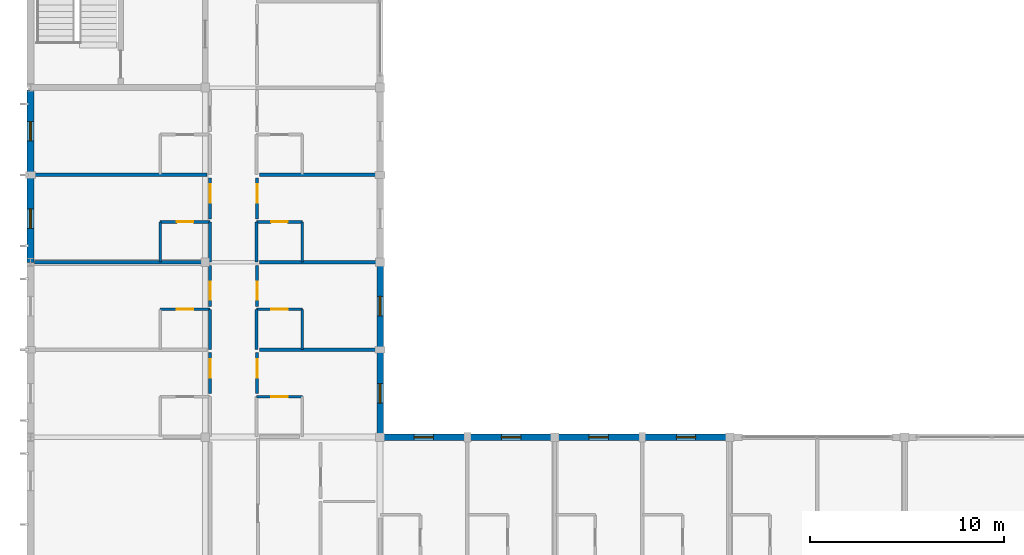
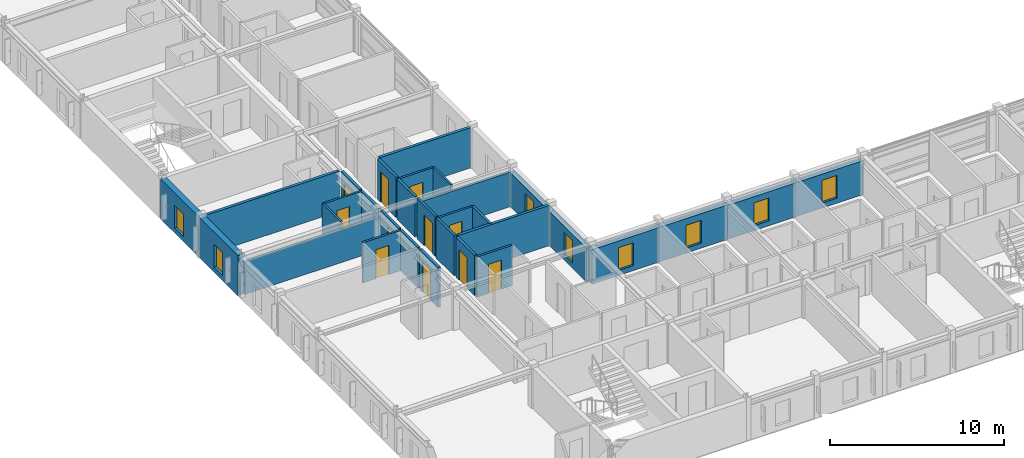
# One storey, part 10 of 20: 27 walls, 11 doors, 8 windows, 19 openings.
"""IFC4 building model written with IfcOpenShell, lengths in metres."""

from ifc_helpers import new_model, si_unit, direction, frame, frame_2d, origin, place, context, subcontext, project, spatial, rectangle, extrude, material, layer, layer_set, type_object, element, fill, save


model = new_model("IFC4")

# Units and contexts
model_context = context("Model", 3, precision=1e-05, world=origin(), true_north=direction((0.0, 1.0)))
body_context = subcontext(model_context, "Body", "Model", "MODEL_VIEW")
ifc_project = project(units=[si_unit("LENGTHUNIT", "METRE"), si_unit("AREAUNIT", "SQUARE_METRE"), si_unit("VOLUMEUNIT", "CUBIC_METRE"), si_unit("PLANEANGLEUNIT", "RADIAN"), si_unit("MASSUNIT", "GRAM", prefix="KILO")], contexts=[model_context])

# Site, building, storey
site_placement = place(None, origin())
site = spatial("IfcSite", under=ifc_project, at=site_placement, CompositionType="ELEMENT")
building_placement = place(site_placement, origin())
building = spatial("IfcBuilding", under=site, at=building_placement, Name="Palais des Congres Ocreval", CompositionType="ELEMENT")
storey_placement = place(building_placement, frame((0.0, 0.0, 20.639892578125)))
storey = spatial("IfcBuildingStorey", under=building, at=storey_placement, Name="L06", CompositionType="ELEMENT", Elevation=20.639892578125)

# Wall, opening, door
ifc_material_1 = material(Name="Moisture-resistant gypsum board")
ifc_layer_1 = layer(ifc_material_1, 0.139892578125)
ifc_layer_set_1 = layer_set([ifc_layer_1], Name="Bathroom Plumbing Chase Wall 140 Gypsum (Moisture-resistant gypsum board)")
wall_type_1 = type_object("IfcWallType", Name="Bathroom Plumbing Chase Wall 140 Gypsum", PredefinedType="PLUMBINGWALL", material=ifc_layer_set_1)
wall_1_placement = place(storey_placement, frame((6.679931640625, 24.580078125, 0.0), z_axis=(0.0, 0.0, 1.0), x_axis=(1.0, 0.0, 0.0)))
wall_1 = element("IfcWall", 1, at=wall_1_placement, inside=storey, type_object=wall_type_1, Name="Bathroom Plumbing Wall PW03 L06", PredefinedType="PLUMBINGWALL", context=body_context, shape_type="SweptSolid", body=[
    extrude(rectangle(XDim=2.56005859375, YDim=0.139892578125, at=frame_2d((1.280029296875, 0.0))), origin(), (0.0, 0.0, 1.0), 2.820068359375),
])
opening_1_placement = place(wall_1_placement, frame((0.85498046875, 0.0, 0.0)))
opening_1 = element("IfcOpeningElement", 2, at=opening_1_placement, cuts=wall_1, Name="Opening D08", PredefinedType="OPENING", context=body_context, shape_type="SweptSolid", body=[
    extrude(rectangle(XDim=0.85009765625, YDim=2.0400390625, at=frame_2d((0.425048828125, 1.02001953125))), frame((0.0, 0.079833984375, 0.0), z_axis=(0.0, -1.0, 0.0), x_axis=(1.0, 0.0, 0.0)), (0.0, 0.0, 1.0), 0.159912109375),
])
ifc_material_2 = material(Name="Solid French oak", Category="wood")
door_type_1 = type_object("IfcDoorType", Name="En-Suite Bathroom Door 850x2040", OperationType="NOTDEFINED", PredefinedType="DOOR", material=ifc_material_2)
door_1_placement = place(opening_1_placement, origin())
door_1 = element("IfcDoor", 3, at=door_1_placement, inside=storey, type_object=door_type_1, Name="En-Suite Bathroom Door D08 L06", OperationType="SINGLE_SWING_LEFT", OverallHeight=2.0400390625, OverallWidth=0.85009765625, PredefinedType="DOOR", context=body_context, shape_type="SweptSolid", body=[
    extrude(rectangle(XDim=0.85009765625, YDim=2.0400390625, at=frame_2d((0.425048828125, 1.02001953125))), frame((0.0, 0.02490234375, 0.0), z_axis=(0.0, -1.0, 0.0), x_axis=(1.0, 0.0, 0.0)), (0.0, 0.0, 1.0), 0.050048828125),
])
fill(opening_1, door_1)

wall_2_placement = place(storey_placement, frame((11.639892578125, 20.080078125, 0.0), z_axis=(0.0, 0.0, 1.0), x_axis=(1.0, 0.0, 0.0)))
wall_2 = element("IfcWall", 4, at=wall_2_placement, inside=storey, type_object=wall_type_1, Name="Bathroom Plumbing Wall PW03 L06", PredefinedType="PLUMBINGWALL", context=body_context, shape_type="SweptSolid", body=[
    extrude(rectangle(XDim=2.360107421875, YDim=0.139892578125, at=frame_2d((1.18017578125, 0.0))), origin(), (0.0, 0.0, 1.0), 2.820068359375),
])
opening_2_placement = place(wall_2_placement, frame((0.7548828125, 0.0, 0.0)))
opening_2 = element("IfcOpeningElement", 5, at=opening_2_placement, cuts=wall_2, Name="Opening D08", PredefinedType="OPENING", context=body_context, shape_type="SweptSolid", body=[
    extrude(rectangle(XDim=0.85009765625, YDim=2.0400390625, at=frame_2d((0.425048828125, 1.02001953125))), frame((0.0, 0.079833984375, 0.0), z_axis=(0.0, -1.0, 0.0), x_axis=(1.0, 0.0, 0.0)), (0.0, 0.0, 1.0), 0.159912109375),
])
door_2_placement = place(opening_2_placement, origin())
door_2 = element("IfcDoor", 6, at=door_2_placement, inside=storey, type_object=door_type_1, Name="En-Suite Bathroom Door D08 L06", OperationType="SINGLE_SWING_RIGHT", OverallHeight=2.0400390625, OverallWidth=0.85009765625, PredefinedType="DOOR", context=body_context, shape_type="SweptSolid", body=[
    extrude(rectangle(XDim=0.85009765625, YDim=2.0400390625, at=frame_2d((0.425048828125, 1.02001953125))), frame((0.0, 0.02490234375, 0.0), z_axis=(0.0, -1.0, 0.0), x_axis=(1.0, 0.0, 0.0)), (0.0, 0.0, 1.0), 0.050048828125),
])
fill(opening_2, door_2)

wall_3_placement = place(storey_placement, frame((11.639892578125, 24.580078125, 0.0), z_axis=(0.0, 0.0, 1.0), x_axis=(1.0, 0.0, 0.0)))
wall_3 = element("IfcWall", 7, at=wall_3_placement, inside=storey, type_object=wall_type_1, Name="Bathroom Plumbing Wall PW03 L06", PredefinedType="PLUMBINGWALL", context=body_context, shape_type="SweptSolid", body=[
    extrude(rectangle(XDim=2.360107421875, YDim=0.139892578125, at=frame_2d((1.18017578125, 0.0))), origin(), (0.0, 0.0, 1.0), 2.820068359375),
])
opening_3_placement = place(wall_3_placement, frame((0.7548828125, 0.0, 0.0)))
opening_3 = element("IfcOpeningElement", 8, at=opening_3_placement, cuts=wall_3, Name="Opening D08", PredefinedType="OPENING", context=body_context, shape_type="SweptSolid", body=[
    extrude(rectangle(XDim=0.85009765625, YDim=2.0400390625, at=frame_2d((0.425048828125, 1.02001953125))), frame((0.0, 0.079833984375, 0.0), z_axis=(0.0, -1.0, 0.0), x_axis=(1.0, 0.0, 0.0)), (0.0, 0.0, 1.0), 0.159912109375),
])
door_3_placement = place(opening_3_placement, origin())
door_3 = element("IfcDoor", 9, at=door_3_placement, inside=storey, type_object=door_type_1, Name="En-Suite Bathroom Door D08 L06", OperationType="SINGLE_SWING_LEFT", OverallHeight=2.0400390625, OverallWidth=0.85009765625, PredefinedType="DOOR", context=body_context, shape_type="SweptSolid", body=[
    extrude(rectangle(XDim=0.85009765625, YDim=2.0400390625, at=frame_2d((0.425048828125, 1.02001953125))), frame((0.0, 0.02490234375, 0.0), z_axis=(0.0, -1.0, 0.0), x_axis=(1.0, 0.0, 0.0)), (0.0, 0.0, 1.0), 0.050048828125),
])
fill(opening_3, door_3)

# Wall
wall_4_placement = place(storey_placement, frame((14.0, 22.52001953125, 0.0), z_axis=(0.0, 0.0, 1.0), x_axis=(0.0, 1.0, 0.0)))
element("IfcWall", 10, at=wall_4_placement, inside=storey, type_object=wall_type_1, Name="Bathroom Plumbing Wall PW03 L06", PredefinedType="PLUMBINGWALL", context=body_context, shape_type="SweptSolid", body=[
    extrude(rectangle(XDim=2.06005859375, YDim=0.139892578125, at=frame_2d((1.030029296875, 0.0))), origin(), (0.0, 0.0, 1.0), 2.820068359375),
])

# Wall, opening, door
wall_5_placement = place(storey_placement, frame((6.679931640625, 29.080078125, 0.0), z_axis=(0.0, 0.0, 1.0), x_axis=(1.0, 0.0, 0.0)))
wall_5 = element("IfcWall", 11, at=wall_5_placement, inside=storey, type_object=wall_type_1, Name="Bathroom Plumbing Wall PW03 L06", PredefinedType="PLUMBINGWALL", context=body_context, shape_type="SweptSolid", body=[
    extrude(rectangle(XDim=2.56005859375, YDim=0.139892578125, at=frame_2d((1.280029296875, 0.0))), origin(), (0.0, 0.0, 1.0), 2.820068359375),
])
opening_4_placement = place(wall_5_placement, frame((0.85498046875, 0.0, 0.0)))
opening_4 = element("IfcOpeningElement", 12, at=opening_4_placement, cuts=wall_5, Name="Opening D08", PredefinedType="OPENING", context=body_context, shape_type="SweptSolid", body=[
    extrude(rectangle(XDim=0.85009765625, YDim=2.0400390625, at=frame_2d((0.425048828125, 1.02001953125))), frame((0.0, 0.079833984375, 0.0), z_axis=(0.0, -1.0, 0.0), x_axis=(1.0, 0.0, 0.0)), (0.0, 0.0, 1.0), 0.159912109375),
])
door_4_placement = place(opening_4_placement, origin())
door_4 = element("IfcDoor", 13, at=door_4_placement, inside=storey, type_object=door_type_1, Name="En-Suite Bathroom Door D08 L06", OperationType="SINGLE_SWING_RIGHT", OverallHeight=2.0400390625, OverallWidth=0.85009765625, PredefinedType="DOOR", context=body_context, shape_type="SweptSolid", body=[
    extrude(rectangle(XDim=0.85009765625, YDim=2.0400390625, at=frame_2d((0.425048828125, 1.02001953125))), frame((0.0, 0.02490234375, 0.0), z_axis=(0.0, -1.0, 0.0), x_axis=(1.0, 0.0, 0.0)), (0.0, 0.0, 1.0), 0.050048828125),
])
fill(opening_4, door_4)

# Wall
wall_6_placement = place(storey_placement, frame((6.679931640625, 27.02001953125, 0.0), z_axis=(0.0, 0.0, 1.0), x_axis=(0.0, 1.0, 0.0)))
element("IfcWall", 14, at=wall_6_placement, inside=storey, type_object=wall_type_1, Name="Bathroom Plumbing Wall PW03 L06", PredefinedType="PLUMBINGWALL", context=body_context, shape_type="SweptSolid", body=[
    extrude(rectangle(XDim=2.06005859375, YDim=0.139892578125, at=frame_2d((1.030029296875, 0.0))), origin(), (0.0, 0.0, 1.0), 2.820068359375),
])

# Wall, opening, door
wall_7_placement = place(storey_placement, frame((11.639892578125, 29.080078125, 0.0), z_axis=(0.0, 0.0, 1.0), x_axis=(1.0, 0.0, 0.0)))
wall_7 = element("IfcWall", 15, at=wall_7_placement, inside=storey, type_object=wall_type_1, Name="Bathroom Plumbing Wall PW03 L06", PredefinedType="PLUMBINGWALL", context=body_context, shape_type="SweptSolid", body=[
    extrude(rectangle(XDim=2.360107421875, YDim=0.139892578125, at=frame_2d((1.18017578125, 0.0))), origin(), (0.0, 0.0, 1.0), 2.820068359375),
])
opening_5_placement = place(wall_7_placement, frame((0.7548828125, 0.0, 0.0)))
opening_5 = element("IfcOpeningElement", 16, at=opening_5_placement, cuts=wall_7, Name="Opening D08", PredefinedType="OPENING", context=body_context, shape_type="SweptSolid", body=[
    extrude(rectangle(XDim=0.85009765625, YDim=2.0400390625, at=frame_2d((0.425048828125, 1.02001953125))), frame((0.0, 0.079833984375, 0.0), z_axis=(0.0, -1.0, 0.0), x_axis=(1.0, 0.0, 0.0)), (0.0, 0.0, 1.0), 0.159912109375),
])
door_5_placement = place(opening_5_placement, origin())
door_5 = element("IfcDoor", 17, at=door_5_placement, inside=storey, type_object=door_type_1, Name="En-Suite Bathroom Door D08 L06", OperationType="SINGLE_SWING_RIGHT", OverallHeight=2.0400390625, OverallWidth=0.85009765625, PredefinedType="DOOR", context=body_context, shape_type="SweptSolid", body=[
    extrude(rectangle(XDim=0.85009765625, YDim=2.0400390625, at=frame_2d((0.425048828125, 1.02001953125))), frame((0.0, 0.02490234375, 0.0), z_axis=(0.0, -1.0, 0.0), x_axis=(1.0, 0.0, 0.0)), (0.0, 0.0, 1.0), 0.050048828125),
])
fill(opening_5, door_5)

# Walls
wall_8_placement = place(storey_placement, frame((14.0, 27.02001953125, 0.0), z_axis=(0.0, 0.0, 1.0), x_axis=(0.0, 1.0, 0.0)))
element("IfcWall", 18, at=wall_8_placement, inside=storey, type_object=wall_type_1, Name="Bathroom Plumbing Wall PW03 L06", PredefinedType="PLUMBINGWALL", context=body_context, shape_type="SweptSolid", body=[
    extrude(rectangle(XDim=2.06005859375, YDim=0.139892578125, at=frame_2d((1.030029296875, 0.0))), origin(), (0.0, 0.0, 1.0), 2.820068359375),
])
ifc_material_3 = material(Name="Gypsum acoustic partition")
ifc_layer_2 = layer(ifc_material_3, 0.159912109375)
ifc_layer_set_2 = layer_set([ifc_layer_2], Name="Corridor Fire Partition 160 Gypsum (Gypsum acoustic partition)")
wall_type_2 = type_object("IfcWallType", Name="Corridor Fire Partition 160 Gypsum", PredefinedType="PARTITIONING", material=ifc_layer_set_2)
for number, where, z_axis, x_axis, name in (
    (19, (9.239990234375, 22.52001953125, 0.0), (0.0, 0.0, 1.0), (0.0, 1.0, 0.0), "Corridor Partition IW03 L06"),
    (20, (11.639892578125, 22.52001953125, 0.0), (0.0, 0.0, 1.0), (0.0, 1.0, 0.0), "Corridor Partition IW03 L06"),
    (21, (9.239990234375, 27.02001953125, 0.0), (0.0, 0.0, 1.0), (0.0, 1.0, 0.0), "Corridor Partition IW03 L06"),
    (22, (11.639892578125, 27.02001953125, 0.0), (0.0, 0.0, 1.0), (0.0, 1.0, 0.0), "Corridor Partition IW03 L06"),
):
    element("IfcWall", number, at=place(storey_placement, frame(where, z_axis=z_axis, x_axis=x_axis)), inside=storey, type_object=wall_type_2, Name=name, PredefinedType="PARTITIONING", context=body_context, shape_type="SweptSolid", body=[
        extrude(rectangle(XDim=2.06005859375, YDim=0.159912109375, at=frame_2d((1.030029296875, 0.0))), origin(), (0.0, 0.0, 1.0), 2.820068359375),
    ])

# Wall, opening, door
wall_9_placement = place(storey_placement, frame((9.25, 20.235107421875, 0.0), z_axis=(0.0, 0.0, 1.0), x_axis=(0.0, 1.0, 0.0)))
wall_9 = element("IfcWall", 23, at=wall_9_placement, inside=storey, type_object=wall_type_2, Name="Interior Partition IW03 L06", PredefinedType="PARTITIONING", context=body_context, shape_type="SweptSolid", body=[
    extrude(rectangle(XDim=2.10986328125, YDim=0.159912109375, at=frame_2d((1.054931640625, 0.0))), origin(), (0.0, 0.0, 1.0), 2.820068359375),
])
opening_6_placement = place(wall_9_placement, frame((0.833251953125, 0.0, 0.0)))
opening_6 = element("IfcOpeningElement", 24, at=opening_6_placement, cuts=wall_9, Name="Opening D05", PredefinedType="OPENING", context=body_context, shape_type="SweptSolid", body=[
    extrude(rectangle(XDim=0.949951171875, YDim=2.14990234375, at=frame_2d((0.47509765625, 1.074951171875))), frame((0.0, 0.08984375, 0.0), z_axis=(0.0, -1.0, 0.0), x_axis=(1.0, 0.0, 0.0)), (0.0, 0.0, 1.0), 0.179931640625),
])
door_type_2 = type_object("IfcDoorType", Name="Hotel Guestroom Entrance Door 950x2150", OperationType="NOTDEFINED", PredefinedType="DOOR", material=ifc_material_2)
door_6_placement = place(opening_6_placement, origin())
door_6 = element("IfcDoor", 25, at=door_6_placement, inside=storey, type_object=door_type_2, Name="Interior Door D05 L06", OperationType="SINGLE_SWING_RIGHT", OverallHeight=2.14990234375, OverallWidth=0.949951171875, PredefinedType="DOOR", context=body_context, shape_type="SweptSolid", body=[
    extrude(rectangle(XDim=0.949951171875, YDim=2.14990234375, at=frame_2d((0.47509765625, 1.074951171875))), frame((0.0, 0.02490234375, 0.0), z_axis=(0.0, -1.0, 0.0), x_axis=(1.0, 0.0, 0.0)), (0.0, 0.0, 1.0), 0.050048828125),
])
fill(opening_6, door_6)

wall_10_placement = place(storey_placement, frame((9.25, 24.735107421875, 0.0), z_axis=(0.0, 0.0, 1.0), x_axis=(0.0, 1.0, 0.0)))
wall_10 = element("IfcWall", 26, at=wall_10_placement, inside=storey, type_object=wall_type_2, Name="Interior Partition IW03 L06", PredefinedType="PARTITIONING", context=body_context, shape_type="SweptSolid", body=[
    extrude(rectangle(XDim=2.10986328125, YDim=0.159912109375, at=frame_2d((1.054931640625, 0.0))), origin(), (0.0, 0.0, 1.0), 2.820068359375),
])
opening_7_placement = place(wall_10_placement, frame((0.326904296875, 0.0, 0.0)))
opening_7 = element("IfcOpeningElement", 27, at=opening_7_placement, cuts=wall_10, Name="Opening D05", PredefinedType="OPENING", context=body_context, shape_type="SweptSolid", body=[
    extrude(rectangle(XDim=0.949951171875, YDim=2.14990234375, at=frame_2d((0.47509765625, 1.074951171875))), frame((0.0, 0.08984375, 0.0), z_axis=(0.0, -1.0, 0.0), x_axis=(1.0, 0.0, 0.0)), (0.0, 0.0, 1.0), 0.179931640625),
])
door_7_placement = place(opening_7_placement, origin())
door_7 = element("IfcDoor", 28, at=door_7_placement, inside=storey, type_object=door_type_2, Name="Interior Door D05 L06", OperationType="SINGLE_SWING_LEFT", OverallHeight=2.14990234375, OverallWidth=0.949951171875, PredefinedType="DOOR", context=body_context, shape_type="SweptSolid", body=[
    extrude(rectangle(XDim=0.949951171875, YDim=2.14990234375, at=frame_2d((0.47509765625, 1.074951171875))), frame((0.0, 0.02490234375, 0.0), z_axis=(0.0, -1.0, 0.0), x_axis=(1.0, 0.0, 0.0)), (0.0, 0.0, 1.0), 0.050048828125),
])
fill(opening_7, door_7)

wall_11_placement = place(storey_placement, frame((11.669921875, 20.235107421875, 0.0), z_axis=(0.0, 0.0, 1.0), x_axis=(0.0, 1.0, 0.0)))
wall_11 = element("IfcWall", 29, at=wall_11_placement, inside=storey, type_object=wall_type_2, Name="Interior Partition IW03 L06", PredefinedType="PARTITIONING", context=body_context, shape_type="SweptSolid", body=[
    extrude(rectangle(XDim=2.10986328125, YDim=0.159912109375, at=frame_2d((1.054931640625, 0.0))), origin(), (0.0, 0.0, 1.0), 2.820068359375),
])
opening_8_placement = place(wall_11_placement, frame((0.833251953125, 0.0, 0.0)))
opening_8 = element("IfcOpeningElement", 30, at=opening_8_placement, cuts=wall_11, Name="Opening D05", PredefinedType="OPENING", context=body_context, shape_type="SweptSolid", body=[
    extrude(rectangle(XDim=0.949951171875, YDim=2.14990234375, at=frame_2d((0.47509765625, 1.074951171875))), frame((0.0, 0.08984375, 0.0), z_axis=(0.0, -1.0, 0.0), x_axis=(1.0, 0.0, 0.0)), (0.0, 0.0, 1.0), 0.179931640625),
])
door_8_placement = place(opening_8_placement, origin())
door_8 = element("IfcDoor", 31, at=door_8_placement, inside=storey, type_object=door_type_2, Name="Interior Door D05 L06", OperationType="SINGLE_SWING_RIGHT", OverallHeight=2.14990234375, OverallWidth=0.949951171875, PredefinedType="DOOR", context=body_context, shape_type="SweptSolid", body=[
    extrude(rectangle(XDim=0.949951171875, YDim=2.14990234375, at=frame_2d((0.47509765625, 1.074951171875))), frame((0.0, 0.02490234375, 0.0), z_axis=(0.0, -1.0, 0.0), x_axis=(1.0, 0.0, 0.0)), (0.0, 0.0, 1.0), 0.050048828125),
])
fill(opening_8, door_8)

wall_12_placement = place(storey_placement, frame((11.669921875, 24.735107421875, 0.0), z_axis=(0.0, 0.0, 1.0), x_axis=(0.0, 1.0, 0.0)))
wall_12 = element("IfcWall", 32, at=wall_12_placement, inside=storey, type_object=wall_type_2, Name="Interior Partition IW03 L06", PredefinedType="PARTITIONING", context=body_context, shape_type="SweptSolid", body=[
    extrude(rectangle(XDim=2.10986328125, YDim=0.159912109375, at=frame_2d((1.054931640625, 0.0))), origin(), (0.0, 0.0, 1.0), 2.820068359375),
])
opening_9_placement = place(wall_12_placement, frame((0.326904296875, 0.0, 0.0)))
opening_9 = element("IfcOpeningElement", 33, at=opening_9_placement, cuts=wall_12, Name="Opening D05", PredefinedType="OPENING", context=body_context, shape_type="SweptSolid", body=[
    extrude(rectangle(XDim=0.949951171875, YDim=2.14990234375, at=frame_2d((0.47509765625, 1.074951171875))), frame((0.0, 0.08984375, 0.0), z_axis=(0.0, -1.0, 0.0), x_axis=(1.0, 0.0, 0.0)), (0.0, 0.0, 1.0), 0.179931640625),
])
door_9_placement = place(opening_9_placement, origin())
door_9 = element("IfcDoor", 34, at=door_9_placement, inside=storey, type_object=door_type_2, Name="Interior Door D05 L06", OperationType="SINGLE_SWING_LEFT", OverallHeight=2.14990234375, OverallWidth=0.949951171875, PredefinedType="DOOR", context=body_context, shape_type="SweptSolid", body=[
    extrude(rectangle(XDim=0.949951171875, YDim=2.14990234375, at=frame_2d((0.47509765625, 1.074951171875))), frame((0.0, 0.02490234375, 0.0), z_axis=(0.0, -1.0, 0.0), x_axis=(1.0, 0.0, 0.0)), (0.0, 0.0, 1.0), 0.050048828125),
])
fill(opening_9, door_9)

wall_13_placement = place(storey_placement, frame((9.25, 29.235107421875, 0.0), z_axis=(0.0, 0.0, 1.0), x_axis=(0.0, 1.0, 0.0)))
wall_13 = element("IfcWall", 35, at=wall_13_placement, inside=storey, type_object=wall_type_2, Name="Interior Partition IW03 L06", PredefinedType="PARTITIONING", context=body_context, shape_type="SweptSolid", body=[
    extrude(rectangle(XDim=2.10986328125, YDim=0.159912109375, at=frame_2d((1.054931640625, 0.0))), origin(), (0.0, 0.0, 1.0), 2.820068359375),
])
opening_10_placement = place(wall_13_placement, frame((0.833251953125, 0.0, 0.0)))
opening_10 = element("IfcOpeningElement", 36, at=opening_10_placement, cuts=wall_13, Name="Opening D05", PredefinedType="OPENING", context=body_context, shape_type="SweptSolid", body=[
    extrude(rectangle(XDim=0.949951171875, YDim=2.14990234375, at=frame_2d((0.47509765625, 1.074951171875))), frame((0.0, 0.08984375, 0.0), z_axis=(0.0, -1.0, 0.0), x_axis=(1.0, 0.0, 0.0)), (0.0, 0.0, 1.0), 0.179931640625),
])
door_10_placement = place(opening_10_placement, origin())
door_10 = element("IfcDoor", 37, at=door_10_placement, inside=storey, type_object=door_type_2, Name="Interior Door D05 L06", OperationType="SINGLE_SWING_RIGHT", OverallHeight=2.14990234375, OverallWidth=0.949951171875, PredefinedType="DOOR", context=body_context, shape_type="SweptSolid", body=[
    extrude(rectangle(XDim=0.949951171875, YDim=2.14990234375, at=frame_2d((0.47509765625, 1.074951171875))), frame((0.0, 0.02490234375, 0.0), z_axis=(0.0, -1.0, 0.0), x_axis=(1.0, 0.0, 0.0)), (0.0, 0.0, 1.0), 0.050048828125),
])
fill(opening_10, door_10)

wall_14_placement = place(storey_placement, frame((11.669921875, 29.235107421875, 0.0), z_axis=(0.0, 0.0, 1.0), x_axis=(0.0, 1.0, 0.0)))
wall_14 = element("IfcWall", 38, at=wall_14_placement, inside=storey, type_object=wall_type_2, Name="Interior Partition IW03 L06", PredefinedType="PARTITIONING", context=body_context, shape_type="SweptSolid", body=[
    extrude(rectangle(XDim=2.10986328125, YDim=0.159912109375, at=frame_2d((1.054931640625, 0.0))), origin(), (0.0, 0.0, 1.0), 2.820068359375),
])
opening_11_placement = place(wall_14_placement, frame((0.833251953125, 0.0, 0.0)))
opening_11 = element("IfcOpeningElement", 39, at=opening_11_placement, cuts=wall_14, Name="Opening D05", PredefinedType="OPENING", context=body_context, shape_type="SweptSolid", body=[
    extrude(rectangle(XDim=0.949951171875, YDim=2.14990234375, at=frame_2d((0.47509765625, 1.074951171875))), frame((0.0, 0.08984375, 0.0), z_axis=(0.0, -1.0, 0.0), x_axis=(1.0, 0.0, 0.0)), (0.0, 0.0, 1.0), 0.179931640625),
])
door_11_placement = place(opening_11_placement, origin())
door_11 = element("IfcDoor", 40, at=door_11_placement, inside=storey, type_object=door_type_2, Name="Interior Door D05 L06", OperationType="SINGLE_SWING_RIGHT", OverallHeight=2.14990234375, OverallWidth=0.949951171875, PredefinedType="DOOR", context=body_context, shape_type="SweptSolid", body=[
    extrude(rectangle(XDim=0.949951171875, YDim=2.14990234375, at=frame_2d((0.47509765625, 1.074951171875))), frame((0.0, 0.02490234375, 0.0), z_axis=(0.0, -1.0, 0.0), x_axis=(1.0, 0.0, 0.0)), (0.0, 0.0, 1.0), 0.050048828125),
])
fill(opening_11, door_11)

# Walls
ifc_layer_3 = layer(ifc_material_3, 0.179931640625)
ifc_layer_set_3 = layer_set([ifc_layer_3], Name="Hotel Inter-Room Acoustic Partition 180 Gypsum (Gypsum acoustic partition)")
wall_type_3 = type_object("IfcWallType", Name="Hotel Inter-Room Acoustic Partition 180 Gypsum", PredefinedType="PARTITIONING", material=ifc_layer_set_3)
wall_15_placement = place(storey_placement, frame((0.195068359375, 27.0, 0.0), z_axis=(0.0, 0.0, 1.0), x_axis=(1.0, 0.0, 0.0)))
element("IfcWall", 41, at=wall_15_placement, inside=storey, type_object=wall_type_3, Name="Hotel Party Partition IW02 L06", PredefinedType="PARTITIONING", context=body_context, shape_type="SweptSolid", body=[
    extrude(rectangle(XDim=8.889892578125, YDim=0.179931640625, at=frame_2d((4.44482421875, 0.0))), origin(), (0.0, 0.0, 1.0), 2.2900390625),
])
wall_16_placement = place(storey_placement, frame((11.794921875, 22.5, 0.0), z_axis=(0.0, 0.0, 1.0), x_axis=(1.0, 0.0, 0.0)))
element("IfcWall", 42, at=wall_16_placement, inside=storey, type_object=wall_type_3, Name="Hotel Party Partition IW02 L06", PredefinedType="PARTITIONING", context=body_context, shape_type="SweptSolid", body=[
    extrude(rectangle(XDim=6.030029296875, YDim=0.179931640625, at=frame_2d((3.01513671875, 0.0))), origin(), (0.0, 0.0, 1.0), 2.820068359375),
])
wall_17_placement = place(storey_placement, frame((11.794921875, 27.0, 0.0), z_axis=(0.0, 0.0, 1.0), x_axis=(1.0, 0.0, 0.0)))
element("IfcWall", 43, at=wall_17_placement, inside=storey, type_object=wall_type_3, Name="Hotel Party Partition IW02 L06", PredefinedType="PARTITIONING", context=body_context, shape_type="SweptSolid", body=[
    extrude(rectangle(XDim=6.030029296875, YDim=0.179931640625, at=frame_2d((3.01513671875, 0.0))), origin(), (0.0, 0.0, 1.0), 2.420166015625),
])
wall_18_placement = place(storey_placement, frame((0.195068359375, 31.5, 0.0), z_axis=(0.0, 0.0, 1.0), x_axis=(1.0, 0.0, 0.0)))
element("IfcWall", 44, at=wall_18_placement, inside=storey, type_object=wall_type_3, Name="Hotel Party Partition IW02 L06", PredefinedType="PARTITIONING", context=body_context, shape_type="SweptSolid", body=[
    extrude(rectangle(XDim=8.889892578125, YDim=0.179931640625, at=frame_2d((4.44482421875, 0.0))), origin(), (0.0, 0.0, 1.0), 2.820068359375),
])
wall_19_placement = place(storey_placement, frame((11.794921875, 31.5, 0.0), z_axis=(0.0, 0.0, 1.0), x_axis=(1.0, 0.0, 0.0)))
element("IfcWall", 45, at=wall_19_placement, inside=storey, type_object=wall_type_3, Name="Hotel Party Partition IW02 L06", PredefinedType="PARTITIONING", context=body_context, shape_type="SweptSolid", body=[
    extrude(rectangle(XDim=6.030029296875, YDim=0.179931640625, at=frame_2d((3.01513671875, 0.0))), origin(), (0.0, 0.0, 1.0), 2.820068359375),
])

# Wall, openings, windows
ifc_material_4 = material(Name="Concrete C40/50", Category="concrete")
ifc_layer_4 = layer(ifc_material_4, 0.3798828125)
ifc_layer_set_4 = layer_set([ifc_layer_4], Name="Lutetian Limestone Street Wall 380 Concrete C40/50")
wall_type_4 = type_object("IfcWallType", Name="Lutetian Limestone Street Wall 380 Concrete C40/50", PredefinedType="SOLIDWALL", material=ifc_layer_set_4)
wall_20_placement = place(storey_placement, frame((0.0, 27.0, 0.0), z_axis=(0.0, 0.0, 1.0), x_axis=(0.0, 1.0, 0.0)))
wall_20 = element("IfcWall", 46, at=wall_20_placement, inside=storey, type_object=wall_type_4, Name="Exterior Wall EW03 L06", PredefinedType="SOLIDWALL", context=body_context, shape_type="SweptSolid", body=[
    extrude(rectangle(XDim=8.8701171875, YDim=0.3798828125, at=frame_2d((4.43505859375, 0.0))), origin(), (0.0, 0.0, 1.0), 2.820068359375),
])
opening_12_placement = place(wall_20_placement, frame((1.75, 0.0, 0.35009765625)))
opening_12 = element("IfcOpeningElement", 47, at=opening_12_placement, cuts=wall_20, Name="Opening WN18", PredefinedType="OPENING", context=body_context, shape_type="SweptSolid", body=[
    extrude(rectangle(XDim=1.0, YDim=1.60009765625, at=frame_2d((0.5, 0.800048828125))), frame((0.0, 0.199951171875, 0.0), z_axis=(0.0, -1.0, 0.0), x_axis=(1.0, 0.0, 0.0)), (0.0, 0.0, 1.0), 0.39990234375),
])
opening_13_placement = place(wall_20_placement, frame((6.25, 0.0, 0.35009765625)))
opening_13 = element("IfcOpeningElement", 48, at=opening_13_placement, cuts=wall_20, Name="Opening WN18", PredefinedType="OPENING", context=body_context, shape_type="SweptSolid", body=[
    extrude(rectangle(XDim=1.0, YDim=1.60009765625, at=frame_2d((0.5, 0.800048828125))), frame((0.0, 0.199951171875, 0.0), z_axis=(0.0, -1.0, 0.0), x_axis=(1.0, 0.0, 0.0)), (0.0, 0.0, 1.0), 0.39990234375),
])
ifc_material_5 = material(Name="Anodized bronze aluminium and low-E glass", Category="glass")
window_type = type_object("IfcWindowType", Name="Stair and Lobby Daylight Window 1000x1600", PartitioningType="SINGLE_PANEL", PredefinedType="WINDOW", material=ifc_material_5)
window_1_placement = place(opening_12_placement, origin())
window_1 = element("IfcWindow", 49, at=window_1_placement, inside=storey, type_object=window_type, Name="Hotel Facade Window WN18", OverallHeight=1.60009765625, OverallWidth=1.0, PartitioningType="SINGLE_PANEL", PredefinedType="WINDOW", context=body_context, shape_type="SweptSolid", body=[
    extrude(rectangle(XDim=1.0, YDim=1.60009765625, at=frame_2d((0.5, 0.800048828125))), frame((0.0, 0.030029296875, 0.0), z_axis=(0.0, -1.0, 0.0), x_axis=(1.0, 0.0, 0.0)), (0.0, 0.0, 1.0), 0.06005859375),
])
fill(opening_12, window_1)
window_2_placement = place(opening_13_placement, origin())
window_2 = element("IfcWindow", 50, at=window_2_placement, inside=storey, type_object=window_type, Name="Hotel Facade Window WN18", OverallHeight=1.60009765625, OverallWidth=1.0, PartitioningType="SINGLE_PANEL", PredefinedType="WINDOW", context=body_context, shape_type="SweptSolid", body=[
    extrude(rectangle(XDim=1.0, YDim=1.60009765625, at=frame_2d((0.5, 0.800048828125))), frame((0.0, 0.030029296875, 0.0), z_axis=(0.0, -1.0, 0.0), x_axis=(1.0, 0.0, 0.0)), (0.0, 0.0, 1.0), 0.06005859375),
])
fill(opening_13, window_2)

ifc_layer_5 = layer(ifc_material_4, 0.340087890625)
ifc_layer_set_5 = layer_set([ifc_layer_5], Name="Ochre Mineral-Lime Courtyard Wall 340 Concrete C40/50")
wall_type_5 = type_object("IfcWallType", Name="Ochre Mineral-Lime Courtyard Wall 340 Concrete C40/50", PredefinedType="SOLIDWALL", material=ifc_layer_set_5)
wall_21_placement = place(storey_placement, frame((18.0, 27.0, 0.0), z_axis=(0.0, 0.0, 1.0), x_axis=(0.0, -1.0, 0.0)))
wall_21 = element("IfcWall", 51, at=wall_21_placement, inside=storey, type_object=wall_type_5, Name="Exterior Wall EW04 L06", PredefinedType="SOLIDWALL", context=body_context, shape_type="SweptSolid", body=[
    extrude(rectangle(XDim=8.844970703125, YDim=0.340087890625, at=frame_2d((4.42236328125, 0.0))), origin(), (0.0, 0.0, 1.0), 2.380126953125),
])
opening_14_placement = place(wall_21_placement, frame((1.75, 0.0, 0.35009765625)))
opening_14 = element("IfcOpeningElement", 52, at=opening_14_placement, cuts=wall_21, Name="Opening WN18", PredefinedType="OPENING", context=body_context, shape_type="SweptSolid", body=[
    extrude(rectangle(XDim=1.0, YDim=1.60009765625, at=frame_2d((0.5, 0.800048828125))), frame((0.0, 0.179931640625, 0.0), z_axis=(0.0, -1.0, 0.0), x_axis=(1.0, 0.0, 0.0)), (0.0, 0.0, 1.0), 0.360107421875),
])
opening_15_placement = place(wall_21_placement, frame((6.25, 0.0, 0.35009765625)))
opening_15 = element("IfcOpeningElement", 53, at=opening_15_placement, cuts=wall_21, Name="Opening WN18", PredefinedType="OPENING", context=body_context, shape_type="SweptSolid", body=[
    extrude(rectangle(XDim=1.0, YDim=1.60009765625, at=frame_2d((0.5, 0.800048828125))), frame((0.0, 0.179931640625, 0.0), z_axis=(0.0, -1.0, 0.0), x_axis=(1.0, 0.0, 0.0)), (0.0, 0.0, 1.0), 0.360107421875),
])
window_3_placement = place(opening_14_placement, origin())
window_3 = element("IfcWindow", 54, at=window_3_placement, inside=storey, type_object=window_type, Name="Hotel Facade Window WN18", OverallHeight=1.60009765625, OverallWidth=1.0, PartitioningType="SINGLE_PANEL", PredefinedType="WINDOW", context=body_context, shape_type="SweptSolid", body=[
    extrude(rectangle(XDim=1.0, YDim=1.60009765625, at=frame_2d((0.5, 0.800048828125))), frame((0.0, 0.030029296875, 0.0), z_axis=(0.0, -1.0, 0.0), x_axis=(1.0, 0.0, 0.0)), (0.0, 0.0, 1.0), 0.06005859375),
])
fill(opening_14, window_3)
window_4_placement = place(opening_15_placement, origin())
window_4 = element("IfcWindow", 55, at=window_4_placement, inside=storey, type_object=window_type, Name="Hotel Facade Window WN18", OverallHeight=1.60009765625, OverallWidth=1.0, PartitioningType="SINGLE_PANEL", PredefinedType="WINDOW", context=body_context, shape_type="SweptSolid", body=[
    extrude(rectangle(XDim=1.0, YDim=1.60009765625, at=frame_2d((0.5, 0.800048828125))), frame((0.0, 0.030029296875, 0.0), z_axis=(0.0, -1.0, 0.0), x_axis=(1.0, 0.0, 0.0)), (0.0, 0.0, 1.0), 0.06005859375),
])
fill(opening_15, window_4)

wall_22_placement = place(storey_placement, frame((18.0, 18.0, 0.0), z_axis=(0.0, 0.0, 1.0), x_axis=(1.0, 0.0, 0.0)))
wall_22 = element("IfcWall", 56, at=wall_22_placement, inside=storey, type_object=wall_type_5, Name="Exterior Wall EW04 L06", PredefinedType="SOLIDWALL", context=body_context, shape_type="SweptSolid", body=[
    extrude(rectangle(XDim=9.0, YDim=0.340087890625, at=frame_2d((4.5, 0.0))), origin(), (0.0, 0.0, 1.0), 2.420166015625),
])
opening_16_placement = place(wall_22_placement, frame((1.75, 0.0, 0.35009765625)))
opening_16 = element("IfcOpeningElement", 57, at=opening_16_placement, cuts=wall_22, Name="Opening WN18", PredefinedType="OPENING", context=body_context, shape_type="SweptSolid", body=[
    extrude(rectangle(XDim=1.0, YDim=1.60009765625, at=frame_2d((0.5, 0.800048828125))), frame((0.0, 0.179931640625, 0.0), z_axis=(0.0, -1.0, 0.0), x_axis=(1.0, 0.0, 0.0)), (0.0, 0.0, 1.0), 0.360107421875),
])
opening_17_placement = place(wall_22_placement, frame((6.25, 0.0, 0.35009765625)))
opening_17 = element("IfcOpeningElement", 58, at=opening_17_placement, cuts=wall_22, Name="Opening WN18", PredefinedType="OPENING", context=body_context, shape_type="SweptSolid", body=[
    extrude(rectangle(XDim=1.0, YDim=1.60009765625, at=frame_2d((0.5, 0.800048828125))), frame((0.0, 0.179931640625, 0.0), z_axis=(0.0, -1.0, 0.0), x_axis=(1.0, 0.0, 0.0)), (0.0, 0.0, 1.0), 0.360107421875),
])
window_5_placement = place(opening_16_placement, origin())
window_5 = element("IfcWindow", 59, at=window_5_placement, inside=storey, type_object=window_type, Name="Hotel Facade Window WN18", OverallHeight=1.60009765625, OverallWidth=1.0, PartitioningType="SINGLE_PANEL", PredefinedType="WINDOW", context=body_context, shape_type="SweptSolid", body=[
    extrude(rectangle(XDim=1.0, YDim=1.60009765625, at=frame_2d((0.5, 0.800048828125))), frame((0.0, 0.030029296875, 0.0), z_axis=(0.0, -1.0, 0.0), x_axis=(1.0, 0.0, 0.0)), (0.0, 0.0, 1.0), 0.06005859375),
])
fill(opening_16, window_5)
window_6_placement = place(opening_17_placement, origin())
window_6 = element("IfcWindow", 60, at=window_6_placement, inside=storey, type_object=window_type, Name="Hotel Facade Window WN18", OverallHeight=1.60009765625, OverallWidth=1.0, PartitioningType="SINGLE_PANEL", PredefinedType="WINDOW", context=body_context, shape_type="SweptSolid", body=[
    extrude(rectangle(XDim=1.0, YDim=1.60009765625, at=frame_2d((0.5, 0.800048828125))), frame((0.0, 0.030029296875, 0.0), z_axis=(0.0, -1.0, 0.0), x_axis=(1.0, 0.0, 0.0)), (0.0, 0.0, 1.0), 0.06005859375),
])
fill(opening_17, window_6)

wall_23_placement = place(storey_placement, frame((27.0, 18.0, 0.0), z_axis=(0.0, 0.0, 1.0), x_axis=(1.0, 0.0, 0.0)))
wall_23 = element("IfcWall", 61, at=wall_23_placement, inside=storey, type_object=wall_type_5, Name="Exterior Wall EW04 L06", PredefinedType="SOLIDWALL", context=body_context, shape_type="SweptSolid", body=[
    extrude(rectangle(XDim=9.0, YDim=0.340087890625, at=frame_2d((4.5, 0.0))), origin(), (0.0, 0.0, 1.0), 2.380126953125),
])
opening_18_placement = place(wall_23_placement, frame((1.75, 0.0, 0.35009765625)))
opening_18 = element("IfcOpeningElement", 62, at=opening_18_placement, cuts=wall_23, Name="Opening WN18", PredefinedType="OPENING", context=body_context, shape_type="SweptSolid", body=[
    extrude(rectangle(XDim=1.0, YDim=1.60009765625, at=frame_2d((0.5, 0.800048828125))), frame((0.0, 0.179931640625, 0.0), z_axis=(0.0, -1.0, 0.0), x_axis=(1.0, 0.0, 0.0)), (0.0, 0.0, 1.0), 0.360107421875),
])
opening_19_placement = place(wall_23_placement, frame((6.25, 0.0, 0.35009765625)))
opening_19 = element("IfcOpeningElement", 63, at=opening_19_placement, cuts=wall_23, Name="Opening WN18", PredefinedType="OPENING", context=body_context, shape_type="SweptSolid", body=[
    extrude(rectangle(XDim=1.0, YDim=1.60009765625, at=frame_2d((0.5, 0.800048828125))), frame((0.0, 0.179931640625, 0.0), z_axis=(0.0, -1.0, 0.0), x_axis=(1.0, 0.0, 0.0)), (0.0, 0.0, 1.0), 0.360107421875),
])
window_7_placement = place(opening_18_placement, origin())
window_7 = element("IfcWindow", 64, at=window_7_placement, inside=storey, type_object=window_type, Name="Hotel Facade Window WN18", OverallHeight=1.60009765625, OverallWidth=1.0, PartitioningType="SINGLE_PANEL", PredefinedType="WINDOW", context=body_context, shape_type="SweptSolid", body=[
    extrude(rectangle(XDim=1.0, YDim=1.60009765625, at=frame_2d((0.5, 0.800048828125))), frame((0.0, 0.030029296875, 0.0), z_axis=(0.0, -1.0, 0.0), x_axis=(1.0, 0.0, 0.0)), (0.0, 0.0, 1.0), 0.06005859375),
])
fill(opening_18, window_7)
window_8_placement = place(opening_19_placement, origin())
window_8 = element("IfcWindow", 65, at=window_8_placement, inside=storey, type_object=window_type, Name="Hotel Facade Window WN18", OverallHeight=1.60009765625, OverallWidth=1.0, PartitioningType="SINGLE_PANEL", PredefinedType="WINDOW", context=body_context, shape_type="SweptSolid", body=[
    extrude(rectangle(XDim=1.0, YDim=1.60009765625, at=frame_2d((0.5, 0.800048828125))), frame((0.0, 0.030029296875, 0.0), z_axis=(0.0, -1.0, 0.0), x_axis=(1.0, 0.0, 0.0)), (0.0, 0.0, 1.0), 0.06005859375),
])
fill(opening_19, window_8)

save(model, "model.ifc")
